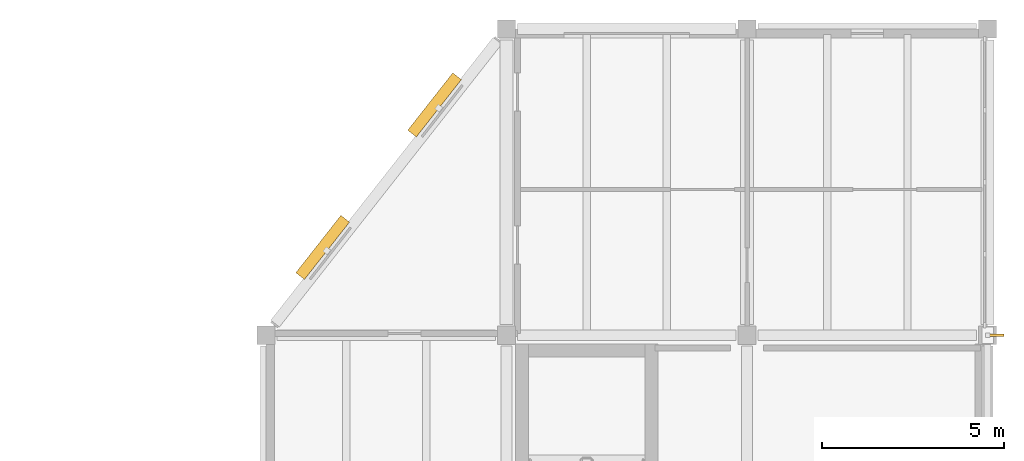
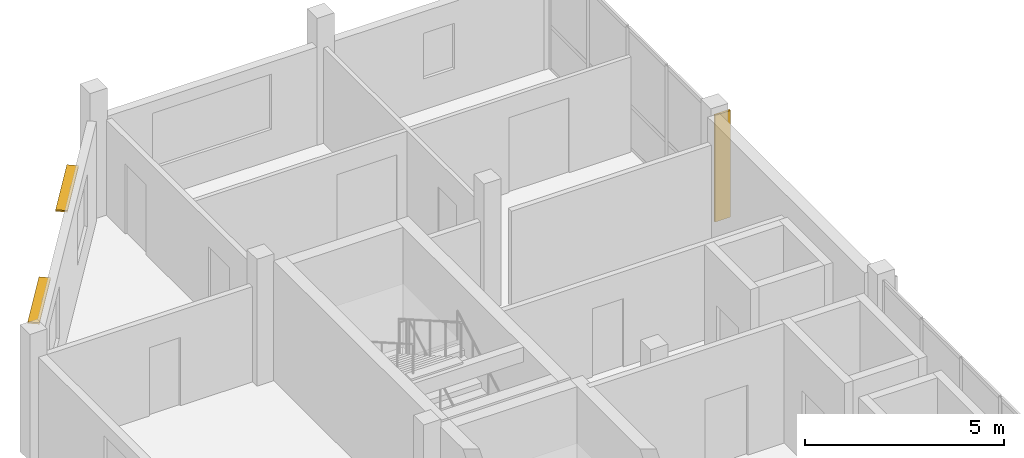
# One storey, part 9 of 9: 3 shading devices.
"""IFC4 building model written with IfcOpenShell, lengths in metres."""

from ifc_helpers import new_model, si_unit, direction, frame, origin, origin_2d, place, context, subcontext, project, spatial, rectangle, extrude, material, layer, layer_set, type_object, element, save


model = new_model("IFC4")

# Units and contexts
model_context = context("Model", 3, precision=1e-05, world=origin(), true_north=direction((0.0, 1.0)))
body_context = subcontext(model_context, "Body", "Model", "MODEL_VIEW")
ifc_project = project(units=[si_unit("LENGTHUNIT", "METRE"), si_unit("AREAUNIT", "SQUARE_METRE"), si_unit("VOLUMEUNIT", "CUBIC_METRE"), si_unit("PLANEANGLEUNIT", "RADIAN"), si_unit("MASSUNIT", "GRAM", prefix="KILO")], contexts=[model_context])

# Site, building, storey
site_placement = place(None, origin())
site = spatial("IfcSite", under=ifc_project, at=site_placement, CompositionType="ELEMENT")
building_placement = place(site_placement, origin())
building = spatial("IfcBuilding", under=site, at=building_placement, Name="Qaldarim Faculty of Natural and Applied Sciences", CompositionType="ELEMENT")
storey_placement = place(building_placement, frame((0.0, 0.0, 43.199951171875)))
storey = spatial("IfcBuildingStorey", under=building, at=storey_placement, Name="L10", CompositionType="ELEMENT", Elevation=43.199951171875)

# Shading devices
ifc_material = material(Name="Champagne anodised aluminium AW-6063", Category="aluminium")
ifc_layer_1 = layer(ifc_material, 0.050048828125)
ifc_layer_set_1 = layer_set([ifc_layer_1], Name="Champagne anodised aluminium AW-6063")
shading_device_type_1 = type_object("IfcShadingDeviceType", Name="SolarLouvre-ALU300x50", PredefinedType="JALOUSIE", material=ifc_layer_set_1)
for number, where, z_axis, x_axis, name in (
    (1, (159.955078125, 36.010009765625, 2.6748046875), (0.0, 0.0, 1.0), (0.617818442277, 0.786320782112, 0.0), "Oblique facade horizontal solar louvre SHD-OBL-NW-L10-1"),
    (2, (163.02490234375, 39.919921875, 2.6748046875), (0.0, 0.0, 1.0), (0.617818442277, 0.786320782112, 0.0), "Oblique facade horizontal solar louvre SHD-OBL-NW-L10-2"),
):
    element("IfcShadingDevice", number, at=place(storey_placement, frame(where, z_axis=z_axis, x_axis=x_axis)), inside=storey, type_object=shading_device_type_1, Name=name, PredefinedType="JALOUSIE", context=body_context, shape_type="SweptSolid", body=[
        extrude(rectangle(XDim=2.0, YDim=0.300048828125, at=origin_2d()), origin(), (0.0, 0.0, 1.0), 0.050048828125),
    ])
ifc_layer_2 = layer(ifc_material, 0.06005859375)
ifc_layer_set_2 = layer_set([ifc_layer_2], Name="Champagne anodised aluminium AW-6063")
shading_device_type_2 = type_object("IfcShadingDeviceType", Name="VerticalSunFin-ALU450x60", PredefinedType="SHUTTER", material=ifc_layer_set_2)
shading_device_placement = place(storey_placement, frame((178.425048828125, 33.60009765625, 0.2001953125), z_axis=(0.0, 0.0, 1.0), x_axis=(1.0, 0.0, 0.0)))
element("IfcShadingDevice", 3, at=shading_device_placement, inside=storey, type_object=shading_device_type_2, Name="Tower solar fin FIN-V5E-L10-Y05", PredefinedType="SHUTTER", context=body_context, shape_type="SweptSolid", body=[
    extrude(rectangle(XDim=0.449951171875, YDim=0.06005859375, at=origin_2d()), origin(), (0.0, 0.0, 1.0), 3.280029296875),
])

save(model, "model.ifc")
